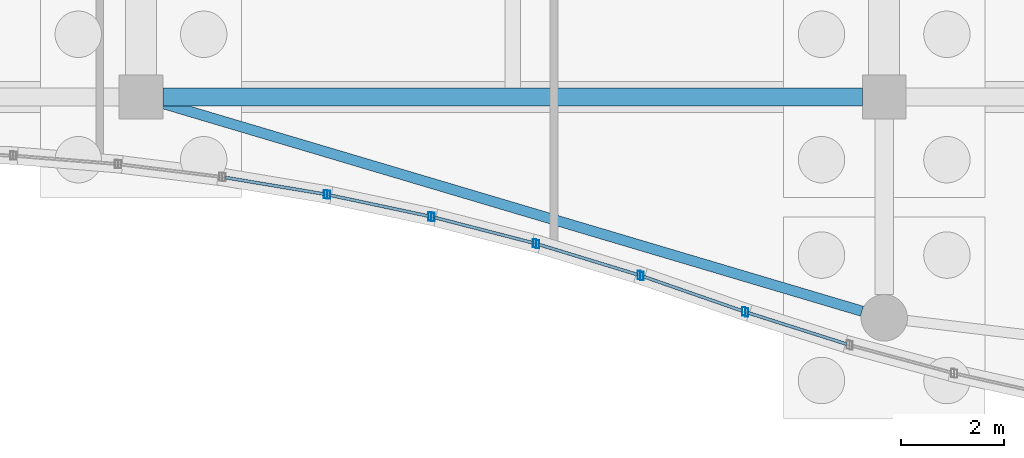
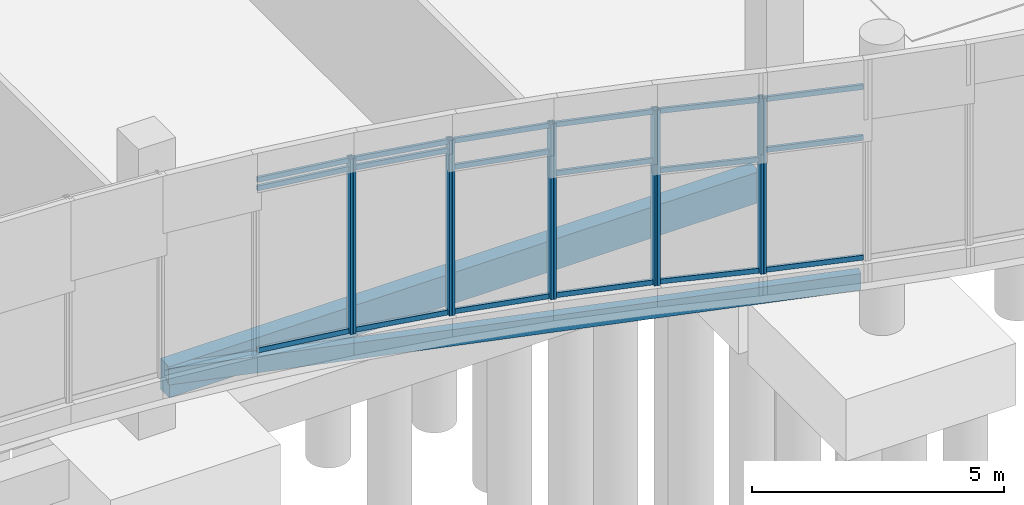
# One storey, part 27 of 192: 28 members, 2 beams, 6 elements without a shape of their own.
"""IFC4 building model written with IfcOpenShell, lengths in metres."""

from ifc_helpers import new_model, si_unit, direction, frame, origin, origin_2d, place, context, subcontext, project, spatial, rectangle, hollow_rectangle, extrude, material, material_profile, profile_set, type_object, element, aggregate, save


model = new_model("IFC4")

# Units and contexts
model_context = context("Model", 3, precision=1e-05, world=origin(), true_north=direction((0.0, 1.0)))
body_context = subcontext(model_context, "Body", "Model", "MODEL_VIEW")
ifc_project = project(units=[si_unit("LENGTHUNIT", "METRE"), si_unit("AREAUNIT", "SQUARE_METRE"), si_unit("VOLUMEUNIT", "CUBIC_METRE"), si_unit("PLANEANGLEUNIT", "RADIAN"), si_unit("MASSUNIT", "GRAM", prefix="KILO")], contexts=[model_context])

# Site, building, storey
site_placement = place(None, origin())
site = spatial("IfcSite", under=ifc_project, at=site_placement, CompositionType="ELEMENT")
building_placement = place(site_placement, origin())
building = spatial("IfcBuilding", under=site, at=building_placement, Name="Cendralis Lancet Convention Centre", CompositionType="ELEMENT")
storey_placement = place(building_placement, origin())
storey = spatial("IfcBuildingStorey", under=building, at=storey_placement, Name="L00", CompositionType="ELEMENT", Elevation=0.0)

# Curtain wall, member
ifc_material_1 = material(Name="Anodised bronze architectural aluminium", Category="aluminium")
curtain_wall_type = type_object("IfcCurtainWallType", Name="ARC-CW-WF01", PredefinedType="USERDEFINED", material=ifc_material_1)
curtain_wall_1_placement = place(storey_placement, origin())
curtain_wall_1 = element("IfcCurtainWall", 1, at=curtain_wall_1_placement, inside=storey, type_object=curtain_wall_type, Name="L00 Curtain Wall CW-WF1 #014", ObjectType="CURTAIN WALL", PredefinedType="USERDEFINED")
ifc_material_profile_1 = material_profile(ifc_material_1, hollow_rectangle(XDim=0.06005859375, YDim=0.159912109375, WallThickness=0.00390625, at=origin_2d()), Name="AL-MULL 60x160x4.0")
ifc_profile_set_1 = profile_set([ifc_material_profile_1], Name="Anodised bronze architectural aluminium")
member_type_1 = type_object("IfcMemberType", Name="ARC-CW-ML01", PredefinedType="MULLION", material=ifc_profile_set_1)
member_1_placement = place(storey_placement, frame((32.37451171875, 5.31494140625, 0.449951171875), z_axis=(0.0, 0.0, 1.0), x_axis=(1.0, 0.0, 0.0)))
member_1 = element("IfcMember", 2, at=member_1_placement, type_object=member_type_1, Name="Mullion CW2-CW-WF1-L00-014-M1", PredefinedType="MULLION", context=body_context, shape_type="SweptSolid", body=[
    extrude(hollow_rectangle(XDim=0.06005859375, YDim=0.159912109375, WallThickness=0.00390625, at=origin_2d()), origin(), (0.0, 0.0, 1.0), 4.255126953125),
])

# Curtain wall, members
curtain_wall_2_placement = place(storey_placement, origin())
curtain_wall_2 = element("IfcCurtainWall", 3, at=curtain_wall_2_placement, inside=storey, type_object=curtain_wall_type, Name="L00 Curtain Wall CW-WF1 #015", ObjectType="CURTAIN WALL", PredefinedType="USERDEFINED")
member_2_placement = place(storey_placement, frame((32.433349609375, 5.3037109375, 0.449951171875), z_axis=(0.0, 0.0, 1.0), x_axis=(1.0, 0.0, 0.0)))
member_2 = element("IfcMember", 4, at=member_2_placement, type_object=member_type_1, Name="Mullion CW2-CW-WF1-L00-015-M0", PredefinedType="MULLION", context=body_context, shape_type="SweptSolid", body=[
    extrude(hollow_rectangle(XDim=0.06005859375, YDim=0.159912109375, WallThickness=0.00390625, at=origin_2d()), origin(), (0.0, 0.0, 1.0), 4.255126953125),
])
member_3_placement = place(storey_placement, frame((34.399658203125, 4.88623046875, 0.449951171875), z_axis=(0.0, 0.0, 1.0), x_axis=(1.0, 0.0, 0.0)))
member_3 = element("IfcMember", 5, at=member_3_placement, type_object=member_type_1, Name="Mullion CW2-CW-WF1-L00-015-M1", PredefinedType="MULLION", context=body_context, shape_type="SweptSolid", body=[
    extrude(hollow_rectangle(XDim=0.06005859375, YDim=0.159912109375, WallThickness=0.00390625, at=origin_2d()), origin(), (0.0, 0.0, 1.0), 4.255126953125),
])

curtain_wall_3_placement = place(storey_placement, origin())
curtain_wall_3 = element("IfcCurtainWall", 6, at=curtain_wall_3_placement, inside=storey, type_object=curtain_wall_type, Name="L00 Curtain Wall CW-WF1 #016", ObjectType="CURTAIN WALL", PredefinedType="USERDEFINED")
member_4_placement = place(storey_placement, frame((34.4580078125, 4.87255859375, 0.449951171875), z_axis=(0.0, 0.0, 1.0), x_axis=(1.0, 0.0, 0.0)))
member_4 = element("IfcMember", 7, at=member_4_placement, type_object=member_type_1, Name="Mullion CW2-CW-WF1-L00-016-M0", PredefinedType="MULLION", context=body_context, shape_type="SweptSolid", body=[
    extrude(hollow_rectangle(XDim=0.06005859375, YDim=0.159912109375, WallThickness=0.00390625, at=origin_2d()), origin(), (0.0, 0.0, 1.0), 4.255126953125),
])
member_5_placement = place(storey_placement, frame((36.4248046875, 4.365478515625, 0.449951171875), z_axis=(0.0, 0.0, 1.0), x_axis=(1.0, 0.0, 0.0)))
member_5 = element("IfcMember", 8, at=member_5_placement, type_object=member_type_1, Name="Mullion CW2-CW-WF1-L00-016-M1", PredefinedType="MULLION", context=body_context, shape_type="SweptSolid", body=[
    extrude(hollow_rectangle(XDim=0.06005859375, YDim=0.159912109375, WallThickness=0.00390625, at=origin_2d()), origin(), (0.0, 0.0, 1.0), 4.255126953125),
])

curtain_wall_4_placement = place(storey_placement, origin())
curtain_wall_4 = element("IfcCurtainWall", 9, at=curtain_wall_4_placement, inside=storey, type_object=curtain_wall_type, Name="L00 Curtain Wall CW-WF1 #017", ObjectType="CURTAIN WALL", PredefinedType="USERDEFINED")
member_6_placement = place(storey_placement, frame((36.482666015625, 4.34912109375, 0.449951171875), z_axis=(0.0, 0.0, 1.0), x_axis=(1.0, 0.0, 0.0)))
member_6 = element("IfcMember", 10, at=member_6_placement, type_object=member_type_1, Name="Mullion CW2-CW-WF1-L00-017-M0", PredefinedType="MULLION", context=body_context, shape_type="SweptSolid", body=[
    extrude(hollow_rectangle(XDim=0.06005859375, YDim=0.159912109375, WallThickness=0.00390625, at=origin_2d()), origin(), (0.0, 0.0, 1.0), 4.255126953125),
])
member_7_placement = place(storey_placement, frame((38.4501953125, 3.748779296875, 0.449951171875), z_axis=(0.0, 0.0, 1.0), x_axis=(1.0, 0.0, 0.0)))
member_7 = element("IfcMember", 11, at=member_7_placement, type_object=member_type_1, Name="Mullion CW2-CW-WF1-L00-017-M1", PredefinedType="MULLION", context=body_context, shape_type="SweptSolid", body=[
    extrude(hollow_rectangle(XDim=0.06005859375, YDim=0.159912109375, WallThickness=0.00390625, at=origin_2d()), origin(), (0.0, 0.0, 1.0), 4.255126953125),
])

curtain_wall_5_placement = place(storey_placement, origin())
curtain_wall_5 = element("IfcCurtainWall", 12, at=curtain_wall_5_placement, inside=storey, type_object=curtain_wall_type, Name="L00 Curtain Wall CW-WF1 #018", ObjectType="CURTAIN WALL", PredefinedType="USERDEFINED")
member_8_placement = place(storey_placement, frame((38.50732421875, 3.730224609375, 0.449951171875), z_axis=(0.0, 0.0, 1.0), x_axis=(1.0, 0.0, 0.0)))
member_8 = element("IfcMember", 13, at=member_8_placement, type_object=member_type_1, Name="Mullion CW2-CW-WF1-L00-018-M0", PredefinedType="MULLION", context=body_context, shape_type="SweptSolid", body=[
    extrude(hollow_rectangle(XDim=0.06005859375, YDim=0.159912109375, WallThickness=0.00390625, at=origin_2d()), origin(), (0.0, 0.0, 1.0), 4.255126953125),
])
member_9_placement = place(storey_placement, frame((40.476806640625, 3.0458984375, 0.449951171875), z_axis=(0.0, 0.0, 1.0), x_axis=(1.0, 0.0, 0.0)))
member_9 = element("IfcMember", 14, at=member_9_placement, type_object=member_type_1, Name="Mullion CW2-CW-WF1-L00-018-M1", PredefinedType="MULLION", context=body_context, shape_type="SweptSolid", body=[
    extrude(hollow_rectangle(XDim=0.06005859375, YDim=0.159912109375, WallThickness=0.00390625, at=origin_2d()), origin(), (0.0, 0.0, 1.0), 4.255126953125),
])

# Curtain wall, member
curtain_wall_6_placement = place(storey_placement, origin())
curtain_wall_6 = element("IfcCurtainWall", 15, at=curtain_wall_6_placement, inside=storey, type_object=curtain_wall_type, Name="L00 Curtain Wall CW-WF1 #019", ObjectType="CURTAIN WALL", PredefinedType="USERDEFINED")
member_10_placement = place(storey_placement, frame((40.53369140625, 3.02685546875, 0.449951171875), z_axis=(0.0, 0.0, 1.0), x_axis=(1.0, 0.0, 0.0)))
member_10 = element("IfcMember", 16, at=member_10_placement, type_object=member_type_1, Name="Mullion CW2-CW-WF1-L00-019-M0", PredefinedType="MULLION", context=body_context, shape_type="SweptSolid", body=[
    extrude(hollow_rectangle(XDim=0.06005859375, YDim=0.159912109375, WallThickness=0.00390625, at=origin_2d()), origin(), (0.0, 0.0, 1.0), 4.255126953125),
])

# Member
ifc_material_profile_2 = material_profile(ifc_material_1, hollow_rectangle(XDim=0.06005859375, YDim=0.1201171875, WallThickness=0.00390625, at=origin_2d()), Name="AL-TRAN 60x120x4.0")
ifc_profile_set_2 = profile_set([ifc_material_profile_2], Name="Anodised bronze architectural aluminium")
member_type_2 = type_object("IfcMemberType", Name="ARC-CW-TR01", PredefinedType="USERDEFINED", material=ifc_profile_set_2)
member_11_placement = place(storey_placement, frame((30.437255859375, 5.63916015625, 0.510009765625), z_axis=(0.986274252117, -0.165115413, 0.0), x_axis=(0.165115413, 0.986274252117, 0.0)))
member_11 = element("IfcMember", 17, at=member_11_placement, type_object=member_type_2, Name="Transom CW2-CW-WF1-L00-014-T0BOT", ObjectType="TRANSOM", PredefinedType="USERDEFINED", context=body_context, shape_type="SweptSolid", body=[
    extrude(hollow_rectangle(XDim=0.06005859375, YDim=0.1201171875, WallThickness=0.00390625, at=origin_2d()), origin(), (0.0, 0.0, 1.0), 1.93408203125),
])

member_12_placement = place(storey_placement, frame((30.437255859375, 5.63916015625, 4.43896484375), z_axis=(0.986274252117, -0.165115413, 0.0), x_axis=(0.165115413, 0.986274252117, 0.0)))
member_12 = element("IfcMember", 18, at=member_12_placement, type_object=member_type_2, Name="Transom CW2-CW-WF1-L00-014-T0MID", ObjectType="TRANSOM", PredefinedType="USERDEFINED", context=body_context, shape_type="SweptSolid", body=[
    extrude(hollow_rectangle(XDim=0.06005859375, YDim=0.1201171875, WallThickness=0.00390625, at=origin_2d()), origin(), (0.0, 0.0, 1.0), 1.93408203125),
])

member_13_placement = place(storey_placement, frame((30.437255859375, 5.63916015625, 4.64501953125), z_axis=(0.986274252117, -0.165115413, 0.0), x_axis=(0.165115413, 0.986274252117, 0.0)))
member_13 = element("IfcMember", 19, at=member_13_placement, type_object=member_type_2, Name="Transom CW2-CW-WF1-L00-014-T0TOP", ObjectType="TRANSOM", PredefinedType="USERDEFINED", context=body_context, shape_type="SweptSolid", body=[
    extrude(hollow_rectangle(XDim=0.06005859375, YDim=0.1201171875, WallThickness=0.00390625, at=origin_2d()), origin(), (0.0, 0.0, 1.0), 1.93408203125),
])

aggregate(curtain_wall_1, [member_1, member_11, member_12, member_13])

member_14_placement = place(storey_placement, frame((32.462646484375, 5.297607421875, 0.510009765625), z_axis=(0.978196377393, -0.207682082172, 0.0), x_axis=(0.207682082172, 0.978196377393, 0.0)))
member_14 = element("IfcMember", 20, at=member_14_placement, type_object=member_type_2, Name="Transom CW2-CW-WF1-L00-015-T0BOT", ObjectType="TRANSOM", PredefinedType="USERDEFINED", context=body_context, shape_type="SweptSolid", body=[
    extrude(hollow_rectangle(XDim=0.06005859375, YDim=0.1201171875, WallThickness=0.00390625, at=origin_2d()), origin(), (0.0, 0.0, 1.0), 1.9501953125),
])

member_15_placement = place(storey_placement, frame((32.462646484375, 5.297607421875, 4.43798828125), z_axis=(0.978196377393, -0.207682082172, 0.0), x_axis=(0.207682082172, 0.978196377393, 0.0)))
member_15 = element("IfcMember", 21, at=member_15_placement, type_object=member_type_2, Name="Transom CW2-CW-WF1-L00-015-T0MID", ObjectType="TRANSOM", PredefinedType="USERDEFINED", context=body_context, shape_type="SweptSolid", body=[
    extrude(hollow_rectangle(XDim=0.06005859375, YDim=0.1201171875, WallThickness=0.00390625, at=origin_2d()), origin(), (0.0, 0.0, 1.0), 1.9501953125),
])

member_16_placement = place(storey_placement, frame((32.462646484375, 5.297607421875, 4.64501953125), z_axis=(0.978196377393, -0.207682082172, 0.0), x_axis=(0.207682082172, 0.978196377393, 0.0)))
member_16 = element("IfcMember", 22, at=member_16_placement, type_object=member_type_2, Name="Transom CW2-CW-WF1-L00-015-T0TOP", ObjectType="TRANSOM", PredefinedType="USERDEFINED", context=body_context, shape_type="SweptSolid", body=[
    extrude(hollow_rectangle(XDim=0.06005859375, YDim=0.1201171875, WallThickness=0.00390625, at=origin_2d()), origin(), (0.0, 0.0, 1.0), 1.9501953125),
])

aggregate(curtain_wall_2, [member_2, member_3, member_14, member_15, member_16])

member_17_placement = place(storey_placement, frame((34.487060546875, 4.864990234375, 0.510009765625), z_axis=(0.968361364153, -0.249552135666, 0.0), x_axis=(0.249552135666, 0.968361364153, 0.0)))
member_17 = element("IfcMember", 23, at=member_17_placement, type_object=member_type_2, Name="Transom CW2-CW-WF1-L00-016-T0BOT", ObjectType="TRANSOM", PredefinedType="USERDEFINED", context=body_context, shape_type="SweptSolid", body=[
    extrude(hollow_rectangle(XDim=0.06005859375, YDim=0.1201171875, WallThickness=0.00390625, at=origin_2d()), origin(), (0.0, 0.0, 1.0), 1.97119140625),
])

member_18_placement = place(storey_placement, frame((34.487060546875, 4.864990234375, 4.007080078125), z_axis=(0.968361364153, -0.249552135666, 0.0), x_axis=(0.249552135666, 0.968361364153, 0.0)))
member_18 = element("IfcMember", 24, at=member_18_placement, type_object=member_type_2, Name="Transom CW2-CW-WF1-L00-016-T0MID", ObjectType="TRANSOM", PredefinedType="USERDEFINED", context=body_context, shape_type="SweptSolid", body=[
    extrude(hollow_rectangle(XDim=0.06005859375, YDim=0.1201171875, WallThickness=0.00390625, at=origin_2d()), origin(), (0.0, 0.0, 1.0), 1.97119140625),
])

member_19_placement = place(storey_placement, frame((34.487060546875, 4.864990234375, 4.64501953125), z_axis=(0.968361364153, -0.249552135666, 0.0), x_axis=(0.249552135666, 0.968361364153, 0.0)))
member_19 = element("IfcMember", 25, at=member_19_placement, type_object=member_type_2, Name="Transom CW2-CW-WF1-L00-016-T0TOP", ObjectType="TRANSOM", PredefinedType="USERDEFINED", context=body_context, shape_type="SweptSolid", body=[
    extrude(hollow_rectangle(XDim=0.06005859375, YDim=0.1201171875, WallThickness=0.00390625, at=origin_2d()), origin(), (0.0, 0.0, 1.0), 1.97119140625),
])

aggregate(curtain_wall_3, [member_4, member_5, member_17, member_18, member_19])

member_20_placement = place(storey_placement, frame((36.511474609375, 4.340576171875, 0.510009765625), z_axis=(0.956442625787, -0.291920371981, 0.0), x_axis=(0.291920371981, 0.956442625787, 0.0)))
member_20 = element("IfcMember", 26, at=member_20_placement, type_object=member_type_2, Name="Transom CW2-CW-WF1-L00-017-T0BOT", ObjectType="TRANSOM", PredefinedType="USERDEFINED", context=body_context, shape_type="SweptSolid", body=[
    extrude(hollow_rectangle(XDim=0.06005859375, YDim=0.1201171875, WallThickness=0.00390625, at=origin_2d()), origin(), (0.0, 0.0, 1.0), 1.9970703125),
])

member_21_placement = place(storey_placement, frame((36.511474609375, 4.340576171875, 3.4609375), z_axis=(0.956442625787, -0.291920371981, 0.0), x_axis=(0.291920371981, 0.956442625787, 0.0)))
member_21 = element("IfcMember", 27, at=member_21_placement, type_object=member_type_2, Name="Transom CW2-CW-WF1-L00-017-T0MID", ObjectType="TRANSOM", PredefinedType="USERDEFINED", context=body_context, shape_type="SweptSolid", body=[
    extrude(hollow_rectangle(XDim=0.06005859375, YDim=0.1201171875, WallThickness=0.00390625, at=origin_2d()), origin(), (0.0, 0.0, 1.0), 1.9970703125),
])

member_22_placement = place(storey_placement, frame((36.511474609375, 4.340576171875, 4.64501953125), z_axis=(0.956442625787, -0.291920371981, 0.0), x_axis=(0.291920371981, 0.956442625787, 0.0)))
member_22 = element("IfcMember", 28, at=member_22_placement, type_object=member_type_2, Name="Transom CW2-CW-WF1-L00-017-T0TOP", ObjectType="TRANSOM", PredefinedType="USERDEFINED", context=body_context, shape_type="SweptSolid", body=[
    extrude(hollow_rectangle(XDim=0.06005859375, YDim=0.1201171875, WallThickness=0.00390625, at=origin_2d()), origin(), (0.0, 0.0, 1.0), 1.9970703125),
])

aggregate(curtain_wall_4, [member_6, member_7, member_20, member_21, member_22])

member_23_placement = place(storey_placement, frame((38.53564453125, 3.72021484375, 0.510009765625), z_axis=(0.944604107009, -0.328211945274, 0.0), x_axis=(0.328211945274, 0.944604107009, 0.0)))
member_23 = element("IfcMember", 29, at=member_23_placement, type_object=member_type_2, Name="Transom CW2-CW-WF1-L00-018-T0BOT", ObjectType="TRANSOM", PredefinedType="USERDEFINED", context=body_context, shape_type="SweptSolid", body=[
    extrude(hollow_rectangle(XDim=0.06005859375, YDim=0.1201171875, WallThickness=0.00390625, at=origin_2d()), origin(), (0.0, 0.0, 1.0), 2.024658203125),
])

member_24_placement = place(storey_placement, frame((38.53564453125, 3.72021484375, 3.199951171875), z_axis=(0.944604107009, -0.328211945274, 0.0), x_axis=(0.328211945274, 0.944604107009, 0.0)))
member_24 = element("IfcMember", 30, at=member_24_placement, type_object=member_type_2, Name="Transom CW2-CW-WF1-L00-018-T0MID", ObjectType="TRANSOM", PredefinedType="USERDEFINED", context=body_context, shape_type="SweptSolid", body=[
    extrude(hollow_rectangle(XDim=0.06005859375, YDim=0.1201171875, WallThickness=0.00390625, at=origin_2d()), origin(), (0.0, 0.0, 1.0), 2.024658203125),
])

member_25_placement = place(storey_placement, frame((38.53564453125, 3.72021484375, 4.64501953125), z_axis=(0.944604107009, -0.328211945274, 0.0), x_axis=(0.328211945274, 0.944604107009, 0.0)))
member_25 = element("IfcMember", 31, at=member_25_placement, type_object=member_type_2, Name="Transom CW2-CW-WF1-L00-018-T0TOP", ObjectType="TRANSOM", PredefinedType="USERDEFINED", context=body_context, shape_type="SweptSolid", body=[
    extrude(hollow_rectangle(XDim=0.06005859375, YDim=0.1201171875, WallThickness=0.00390625, at=origin_2d()), origin(), (0.0, 0.0, 1.0), 2.024658203125),
])

aggregate(curtain_wall_5, [member_8, member_9, member_23, member_24, member_25])

member_26_placement = place(storey_placement, frame((40.562255859375, 3.017822265625, 0.510009765625), z_axis=(0.953104752489, -0.30264059672, 0.0), x_axis=(0.30264059672, 0.953104752489, 0.0)))
member_26 = element("IfcMember", 32, at=member_26_placement, type_object=member_type_2, Name="Transom CW2-CW-WF1-L00-019-T0BOT", ObjectType="TRANSOM", PredefinedType="USERDEFINED", context=body_context, shape_type="SweptSolid", body=[
    extrude(hollow_rectangle(XDim=0.06005859375, YDim=0.1201171875, WallThickness=0.00390625, at=origin_2d()), origin(), (0.0, 0.0, 1.0), 2.004638671875),
])

member_27_placement = place(storey_placement, frame((40.562255859375, 3.017822265625, 3.4130859375), z_axis=(0.953104752489, -0.30264059672, 0.0), x_axis=(0.30264059672, 0.953104752489, 0.0)))
member_27 = element("IfcMember", 33, at=member_27_placement, type_object=member_type_2, Name="Transom CW2-CW-WF1-L00-019-T0MID", ObjectType="TRANSOM", PredefinedType="USERDEFINED", context=body_context, shape_type="SweptSolid", body=[
    extrude(hollow_rectangle(XDim=0.06005859375, YDim=0.1201171875, WallThickness=0.00390625, at=origin_2d()), origin(), (0.0, 0.0, 1.0), 2.004638671875),
])

member_28_placement = place(storey_placement, frame((40.562255859375, 3.017822265625, 4.64501953125), z_axis=(0.953104752489, -0.30264059672, 0.0), x_axis=(0.30264059672, 0.953104752489, 0.0)))
member_28 = element("IfcMember", 34, at=member_28_placement, type_object=member_type_2, Name="Transom CW2-CW-WF1-L00-019-T0TOP", ObjectType="TRANSOM", PredefinedType="USERDEFINED", context=body_context, shape_type="SweptSolid", body=[
    extrude(hollow_rectangle(XDim=0.06005859375, YDim=0.1201171875, WallThickness=0.00390625, at=origin_2d()), origin(), (0.0, 0.0, 1.0), 2.004638671875),
])

aggregate(curtain_wall_6, [member_10, member_26, member_27, member_28])

# Beams
ifc_material_2 = material(Name="Concrete G40 (C40/50)", Category="concrete")
ifc_material_profile_3 = material_profile(ifc_material_2, rectangle(XDim=0.35009765625, YDim=0.75, at=origin_2d()), Name="RCB 350x750")
ifc_profile_set_3 = profile_set([ifc_material_profile_3], Name="Concrete G40 (C40/50)")
beam_type_1 = type_object("IfcBeamType", Name="STR-SP-SP01", PredefinedType="SPANDREL", material=ifc_profile_set_3)
beam_1_placement = place(storey_placement, frame((29.22509765625, 7.199951171875, -0.695068359375), z_axis=(1.0, 0.0, 0.0), x_axis=(0.0, 1.0, 0.0)))
element("IfcBeam", 35, at=beam_1_placement, inside=storey, type_object=beam_type_1, Name="L00 Beam SP01 #0658", PredefinedType="SPANDREL", context=body_context, shape_type="SweptSolid", body=[
    extrude(rectangle(XDim=0.35009765625, YDim=0.75, at=origin_2d()), origin(), (0.0, 0.0, 1.0), 13.5498046875),
])
ifc_material_3 = material(Name="Steel S355", Category="steel")
ifc_material_profile_4 = material_profile(ifc_material_3, hollow_rectangle(XDim=0.199951171875, YDim=0.39990234375, WallThickness=0.01416015625, at=origin_2d()), Name="RHS 400x200x14.2")
ifc_profile_set_4 = profile_set([ifc_material_profile_4], Name="Steel S355")
beam_type_2 = type_object("IfcBeamType", Name="STR-SP-SP03", PredefinedType="SPANDREL", material=ifc_profile_set_4)
beam_2_placement = place(storey_placement, frame((29.20751953125, 7.0791015625, -0.52001953125), z_axis=(0.958581954614, -0.284816846919, 0.0), x_axis=(0.284816846919, 0.958581954614, 0.0)))
element("IfcBeam", 36, at=beam_2_placement, inside=storey, type_object=beam_type_2, Name="L00 Beam SP03 #1033", PredefinedType="SPANDREL", context=body_context, shape_type="SweptSolid", body=[
    extrude(hollow_rectangle(XDim=0.199951171875, YDim=0.39990234375, WallThickness=0.01416015625, at=origin_2d()), origin(), (0.0, 0.0, 1.0), 14.14697265625),
])

save(model, "model.ifc")
